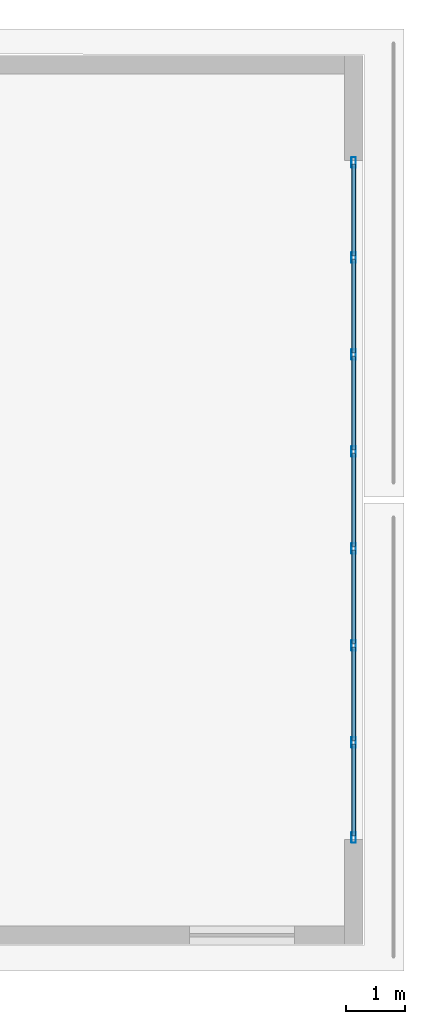
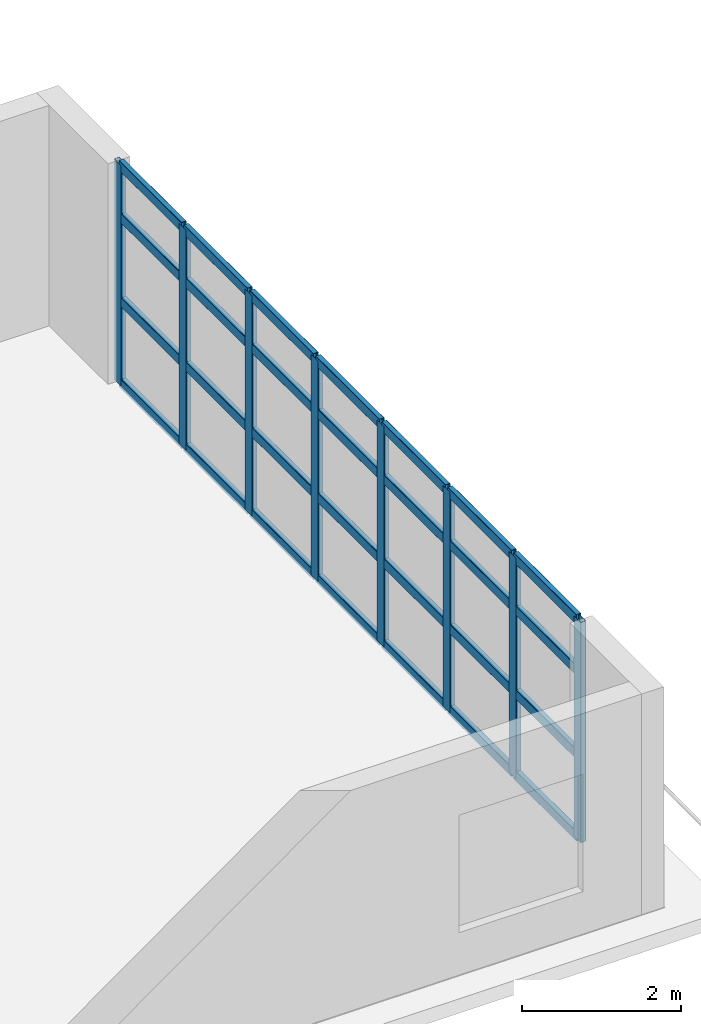
# One storey, part 11 of 24: 36 members, 1 element without a shape of its own.
"""IFC4 building model written with IfcOpenShell, lengths in metres."""

from ifc_helpers import new_model, si_unit, direction, frame, origin, origin_2d, place, context, subcontext, project, spatial, hollow_rectangle, extrude, material, layer, layer_set, material_profile, profile_set, type_object, element, aggregate, save


model = new_model("IFC4")

# Units and contexts
model_context = context("Model", 3, precision=1e-05, world=origin(), true_north=direction((0.0, 1.0)))
body_context = subcontext(model_context, "Body", "Model", "MODEL_VIEW")
ifc_project = project(units=[si_unit("LENGTHUNIT", "METRE"), si_unit("AREAUNIT", "SQUARE_METRE"), si_unit("VOLUMEUNIT", "CUBIC_METRE"), si_unit("PLANEANGLEUNIT", "RADIAN"), si_unit("MASSUNIT", "GRAM", prefix="KILO")], contexts=[model_context])

# Site, building, storey
site_placement = place(None, origin())
site = spatial("IfcSite", under=ifc_project, at=site_placement, CompositionType="ELEMENT")
building_placement = place(site_placement, origin())
building = spatial("IfcBuilding", under=site, at=building_placement, Name="Qingluan Cross Belvedere", CompositionType="ELEMENT")
storey_placement = place(building_placement, frame((0.0, 0.0, 19.199951171875)))
storey = spatial("IfcBuildingStorey", under=building, at=storey_placement, Name="L05", CompositionType="ELEMENT", Elevation=19.199951171875)

# Curtain wall, members
ifc_material_1 = material(Name="Thermally broken aluminium and Low-E glass", Category="aluminium")
ifc_layer = layer(ifc_material_1, 0.179931640625, Name="UnitisedCW_CascadeGarden")
ifc_layer_set = layer_set([ifc_layer], Name="Thermally broken aluminium and Low-E glass")
curtain_wall_type = type_object("IfcCurtainWallType", Name="UnitisedCW_CascadeGarden", PredefinedType="USERDEFINED", material=ifc_layer_set)
curtain_wall_placement = place(storey_placement, origin())
curtain_wall = element("IfcCurtainWall", 1, at=curtain_wall_placement, inside=storey, type_object=curtain_wall_type, Name="UnitisedCW_CascadeGarden run env:cw:L05:E", ObjectType="UNITISED CURTAIN WALL", PredefinedType="USERDEFINED")
ifc_material_2 = material(Name="Aluminium alloy 6063-T6", Category="aluminium")
ifc_material_profile_1 = material_profile(ifc_material_2, hollow_rectangle(XDim=0.074951171875, YDim=0.179931640625, WallThickness=0.00390625, InnerFilletRadius=0.00390625, OuterFilletRadius=0.008056640625, at=origin_2d()), Name="CWM180x75x4")
ifc_profile_set_1 = profile_set([ifc_material_profile_1], Name="Aluminium alloy 6063-T6")
member_type_1 = type_object("IfcMemberType", Name="CWMullion_180", PredefinedType="MULLION", material=ifc_profile_set_1)
member_1_placement = place(storey_placement, frame((36.239990234375, 5.77001953125, 0.0), z_axis=(0.0, 0.0, 1.0), x_axis=(1.0, 0.0, 0.0)))
member_1 = element("IfcMember", 2, at=member_1_placement, type_object=member_type_1, Name="CW-P3 mullion 1", PredefinedType="MULLION", context=body_context, shape_type="SweptSolid", body=[
    extrude(hollow_rectangle(XDim=0.074951171875, YDim=0.179931640625, WallThickness=0.00390625, InnerFilletRadius=0.00390625, OuterFilletRadius=0.008056640625, at=origin_2d()), origin(), (0.0, 0.0, 1.0), 3.380126953125),
])
member_2_placement = place(storey_placement, frame((36.239990234375, 4.142822265625, 0.0), z_axis=(0.0, 0.0, 1.0), x_axis=(1.0, 0.0, 0.0)))
member_2 = element("IfcMember", 3, at=member_2_placement, type_object=member_type_1, Name="CW-P3 mullion 2", PredefinedType="MULLION", context=body_context, shape_type="SweptSolid", body=[
    extrude(hollow_rectangle(XDim=0.074951171875, YDim=0.179931640625, WallThickness=0.00390625, InnerFilletRadius=0.00390625, OuterFilletRadius=0.008056640625, at=origin_2d()), origin(), (0.0, 0.0, 1.0), 3.380126953125),
])
member_3_placement = place(storey_placement, frame((36.239990234375, 2.485595703125, 0.0), z_axis=(0.0, 0.0, 1.0), x_axis=(1.0, 0.0, 0.0)))
member_3 = element("IfcMember", 4, at=member_3_placement, type_object=member_type_1, Name="CW-P3 mullion 3", PredefinedType="MULLION", context=body_context, shape_type="SweptSolid", body=[
    extrude(hollow_rectangle(XDim=0.074951171875, YDim=0.179931640625, WallThickness=0.00390625, InnerFilletRadius=0.00390625, OuterFilletRadius=0.008056640625, at=origin_2d()), origin(), (0.0, 0.0, 1.0), 3.380126953125),
])
member_4_placement = place(storey_placement, frame((36.239990234375, 0.82861328125, 0.0), z_axis=(0.0, 0.0, 1.0), x_axis=(1.0, 0.0, 0.0)))
member_4 = element("IfcMember", 5, at=member_4_placement, type_object=member_type_1, Name="CW-P3 mullion 4", PredefinedType="MULLION", context=body_context, shape_type="SweptSolid", body=[
    extrude(hollow_rectangle(XDim=0.074951171875, YDim=0.179931640625, WallThickness=0.00390625, InnerFilletRadius=0.00390625, OuterFilletRadius=0.008056640625, at=origin_2d()), origin(), (0.0, 0.0, 1.0), 3.380126953125),
])
member_5_placement = place(storey_placement, frame((36.239990234375, -0.82861328125, 0.0), z_axis=(0.0, 0.0, 1.0), x_axis=(1.0, 0.0, 0.0)))
member_5 = element("IfcMember", 6, at=member_5_placement, type_object=member_type_1, Name="CW-P3 mullion 5", PredefinedType="MULLION", context=body_context, shape_type="SweptSolid", body=[
    extrude(hollow_rectangle(XDim=0.074951171875, YDim=0.179931640625, WallThickness=0.00390625, InnerFilletRadius=0.00390625, OuterFilletRadius=0.008056640625, at=origin_2d()), origin(), (0.0, 0.0, 1.0), 3.380126953125),
])
member_6_placement = place(storey_placement, frame((36.239990234375, -2.485595703125, 0.0), z_axis=(0.0, 0.0, 1.0), x_axis=(1.0, 0.0, 0.0)))
member_6 = element("IfcMember", 7, at=member_6_placement, type_object=member_type_1, Name="CW-P3 mullion 6", PredefinedType="MULLION", context=body_context, shape_type="SweptSolid", body=[
    extrude(hollow_rectangle(XDim=0.074951171875, YDim=0.179931640625, WallThickness=0.00390625, InnerFilletRadius=0.00390625, OuterFilletRadius=0.008056640625, at=origin_2d()), origin(), (0.0, 0.0, 1.0), 3.380126953125),
])
member_7_placement = place(storey_placement, frame((36.239990234375, -4.142822265625, 0.0), z_axis=(0.0, 0.0, 1.0), x_axis=(1.0, 0.0, 0.0)))
member_7 = element("IfcMember", 8, at=member_7_placement, type_object=member_type_1, Name="CW-P3 mullion 7", PredefinedType="MULLION", context=body_context, shape_type="SweptSolid", body=[
    extrude(hollow_rectangle(XDim=0.074951171875, YDim=0.179931640625, WallThickness=0.00390625, InnerFilletRadius=0.00390625, OuterFilletRadius=0.008056640625, at=origin_2d()), origin(), (0.0, 0.0, 1.0), 3.380126953125),
])
member_8_placement = place(storey_placement, frame((36.239990234375, -5.77001953125, 0.0), z_axis=(0.0, 0.0, 1.0), x_axis=(1.0, 0.0, 0.0)))
member_8 = element("IfcMember", 9, at=member_8_placement, type_object=member_type_1, Name="CW-P3 mullion 8", PredefinedType="MULLION", context=body_context, shape_type="SweptSolid", body=[
    extrude(hollow_rectangle(XDim=0.074951171875, YDim=0.179931640625, WallThickness=0.00390625, InnerFilletRadius=0.00390625, OuterFilletRadius=0.008056640625, at=origin_2d()), origin(), (0.0, 0.0, 1.0), 3.380126953125),
])
ifc_material_3 = material(Name="Aluminium alloy 6063-T6", Category="aluminium")
ifc_material_profile_2 = material_profile(ifc_material_3, hollow_rectangle(XDim=0.074951171875, YDim=0.14990234375, WallThickness=0.00390625, InnerFilletRadius=0.00390625, OuterFilletRadius=0.008056640625, at=origin_2d()), Name="CWT150x75x4")
ifc_profile_set_2 = profile_set([ifc_material_profile_2], Name="Aluminium alloy 6063-T6")
member_type_2 = type_object("IfcMemberType", Name="CWTransom_150", PredefinedType="USERDEFINED", material=ifc_profile_set_2)
member_9_placement = place(storey_placement, frame((36.239990234375, 5.739990234375, 0.030029296875), z_axis=(0.0, -1.0, 0.0), x_axis=(1.0, 0.0, 0.0)))
member_9 = element("IfcMember", 10, at=member_9_placement, type_object=member_type_2, Name="CW-P3 transom 1.1", ObjectType="TRANSOM", PredefinedType="USERDEFINED", context=body_context, shape_type="SweptSolid", body=[
    extrude(hollow_rectangle(XDim=0.074951171875, YDim=0.14990234375, WallThickness=0.00390625, InnerFilletRadius=0.00390625, OuterFilletRadius=0.008056640625, at=origin_2d()), origin(), (0.0, 0.0, 1.0), 1.567138671875),
])
member_10_placement = place(storey_placement, frame((36.239990234375, 5.739990234375, 1.283935546875), z_axis=(0.0, -1.0, 0.0), x_axis=(1.0, 0.0, 0.0)))
member_10 = element("IfcMember", 11, at=member_10_placement, type_object=member_type_2, Name="CW-P3 transom 1.2", ObjectType="TRANSOM", PredefinedType="USERDEFINED", context=body_context, shape_type="SweptSolid", body=[
    extrude(hollow_rectangle(XDim=0.074951171875, YDim=0.14990234375, WallThickness=0.00390625, InnerFilletRadius=0.00390625, OuterFilletRadius=0.008056640625, at=origin_2d()), origin(), (0.0, 0.0, 1.0), 1.567138671875),
])
member_11_placement = place(storey_placement, frame((36.239990234375, 5.739990234375, 2.569091796875), z_axis=(0.0, -1.0, 0.0), x_axis=(1.0, 0.0, 0.0)))
member_11 = element("IfcMember", 12, at=member_11_placement, type_object=member_type_2, Name="CW-P3 transom 1.3", ObjectType="TRANSOM", PredefinedType="USERDEFINED", context=body_context, shape_type="SweptSolid", body=[
    extrude(hollow_rectangle(XDim=0.074951171875, YDim=0.14990234375, WallThickness=0.00390625, InnerFilletRadius=0.00390625, OuterFilletRadius=0.008056640625, at=origin_2d()), origin(), (0.0, 0.0, 1.0), 1.567138671875),
])
member_12_placement = place(storey_placement, frame((36.239990234375, 5.739990234375, 3.35009765625), z_axis=(0.0, -1.0, 0.0), x_axis=(1.0, 0.0, 0.0)))
member_12 = element("IfcMember", 13, at=member_12_placement, type_object=member_type_2, Name="CW-P3 transom 1.4", ObjectType="TRANSOM", PredefinedType="USERDEFINED", context=body_context, shape_type="SweptSolid", body=[
    extrude(hollow_rectangle(XDim=0.074951171875, YDim=0.14990234375, WallThickness=0.00390625, InnerFilletRadius=0.00390625, OuterFilletRadius=0.008056640625, at=origin_2d()), origin(), (0.0, 0.0, 1.0), 1.567138671875),
])
member_13_placement = place(storey_placement, frame((36.239990234375, 4.11279296875, 0.030029296875), z_axis=(0.0, -1.0, 0.0), x_axis=(1.0, 0.0, 0.0)))
member_13 = element("IfcMember", 14, at=member_13_placement, type_object=member_type_2, Name="CW-P3 transom 2.1", ObjectType="TRANSOM", PredefinedType="USERDEFINED", context=body_context, shape_type="SweptSolid", body=[
    extrude(hollow_rectangle(XDim=0.074951171875, YDim=0.14990234375, WallThickness=0.00390625, InnerFilletRadius=0.00390625, OuterFilletRadius=0.008056640625, at=origin_2d()), origin(), (0.0, 0.0, 1.0), 1.59716796875),
])
member_14_placement = place(storey_placement, frame((36.239990234375, 4.11279296875, 1.283935546875), z_axis=(0.0, -1.0, 0.0), x_axis=(1.0, 0.0, 0.0)))
member_14 = element("IfcMember", 15, at=member_14_placement, type_object=member_type_2, Name="CW-P3 transom 2.2", ObjectType="TRANSOM", PredefinedType="USERDEFINED", context=body_context, shape_type="SweptSolid", body=[
    extrude(hollow_rectangle(XDim=0.074951171875, YDim=0.14990234375, WallThickness=0.00390625, InnerFilletRadius=0.00390625, OuterFilletRadius=0.008056640625, at=origin_2d()), origin(), (0.0, 0.0, 1.0), 1.59716796875),
])
member_15_placement = place(storey_placement, frame((36.239990234375, 4.11279296875, 2.569091796875), z_axis=(0.0, -1.0, 0.0), x_axis=(1.0, 0.0, 0.0)))
member_15 = element("IfcMember", 16, at=member_15_placement, type_object=member_type_2, Name="CW-P3 transom 2.3", ObjectType="TRANSOM", PredefinedType="USERDEFINED", context=body_context, shape_type="SweptSolid", body=[
    extrude(hollow_rectangle(XDim=0.074951171875, YDim=0.14990234375, WallThickness=0.00390625, InnerFilletRadius=0.00390625, OuterFilletRadius=0.008056640625, at=origin_2d()), origin(), (0.0, 0.0, 1.0), 1.59716796875),
])
member_16_placement = place(storey_placement, frame((36.239990234375, 4.11279296875, 3.35009765625), z_axis=(0.0, -1.0, 0.0), x_axis=(1.0, 0.0, 0.0)))
member_16 = element("IfcMember", 17, at=member_16_placement, type_object=member_type_2, Name="CW-P3 transom 2.4", ObjectType="TRANSOM", PredefinedType="USERDEFINED", context=body_context, shape_type="SweptSolid", body=[
    extrude(hollow_rectangle(XDim=0.074951171875, YDim=0.14990234375, WallThickness=0.00390625, InnerFilletRadius=0.00390625, OuterFilletRadius=0.008056640625, at=origin_2d()), origin(), (0.0, 0.0, 1.0), 1.59716796875),
])
member_17_placement = place(storey_placement, frame((36.239990234375, 2.455810546875, 0.030029296875), z_axis=(0.0, -1.0, 0.0), x_axis=(1.0, 0.0, 0.0)))
member_17 = element("IfcMember", 18, at=member_17_placement, type_object=member_type_2, Name="CW-P3 transom 3.1", ObjectType="TRANSOM", PredefinedType="USERDEFINED", context=body_context, shape_type="SweptSolid", body=[
    extrude(hollow_rectangle(XDim=0.074951171875, YDim=0.14990234375, WallThickness=0.00390625, InnerFilletRadius=0.00390625, OuterFilletRadius=0.008056640625, at=origin_2d()), origin(), (0.0, 0.0, 1.0), 1.59716796875),
])
member_18_placement = place(storey_placement, frame((36.239990234375, 2.455810546875, 1.283935546875), z_axis=(0.0, -1.0, 0.0), x_axis=(1.0, 0.0, 0.0)))
member_18 = element("IfcMember", 19, at=member_18_placement, type_object=member_type_2, Name="CW-P3 transom 3.2", ObjectType="TRANSOM", PredefinedType="USERDEFINED", context=body_context, shape_type="SweptSolid", body=[
    extrude(hollow_rectangle(XDim=0.074951171875, YDim=0.14990234375, WallThickness=0.00390625, InnerFilletRadius=0.00390625, OuterFilletRadius=0.008056640625, at=origin_2d()), origin(), (0.0, 0.0, 1.0), 1.59716796875),
])
member_19_placement = place(storey_placement, frame((36.239990234375, 2.455810546875, 2.569091796875), z_axis=(0.0, -1.0, 0.0), x_axis=(1.0, 0.0, 0.0)))
member_19 = element("IfcMember", 20, at=member_19_placement, type_object=member_type_2, Name="CW-P3 transom 3.3", ObjectType="TRANSOM", PredefinedType="USERDEFINED", context=body_context, shape_type="SweptSolid", body=[
    extrude(hollow_rectangle(XDim=0.074951171875, YDim=0.14990234375, WallThickness=0.00390625, InnerFilletRadius=0.00390625, OuterFilletRadius=0.008056640625, at=origin_2d()), origin(), (0.0, 0.0, 1.0), 1.59716796875),
])
member_20_placement = place(storey_placement, frame((36.239990234375, 2.455810546875, 3.35009765625), z_axis=(0.0, -1.0, 0.0), x_axis=(1.0, 0.0, 0.0)))
member_20 = element("IfcMember", 21, at=member_20_placement, type_object=member_type_2, Name="CW-P3 transom 3.4", ObjectType="TRANSOM", PredefinedType="USERDEFINED", context=body_context, shape_type="SweptSolid", body=[
    extrude(hollow_rectangle(XDim=0.074951171875, YDim=0.14990234375, WallThickness=0.00390625, InnerFilletRadius=0.00390625, OuterFilletRadius=0.008056640625, at=origin_2d()), origin(), (0.0, 0.0, 1.0), 1.59716796875),
])
member_21_placement = place(storey_placement, frame((36.239990234375, 0.798583984375, 0.030029296875), z_axis=(0.0, -1.0, 0.0), x_axis=(1.0, 0.0, 0.0)))
member_21 = element("IfcMember", 22, at=member_21_placement, type_object=member_type_2, Name="CW-P3 transom 4.1", ObjectType="TRANSOM", PredefinedType="USERDEFINED", context=body_context, shape_type="SweptSolid", body=[
    extrude(hollow_rectangle(XDim=0.074951171875, YDim=0.14990234375, WallThickness=0.00390625, InnerFilletRadius=0.00390625, OuterFilletRadius=0.008056640625, at=origin_2d()), origin(), (0.0, 0.0, 1.0), 1.59716796875),
])
member_22_placement = place(storey_placement, frame((36.239990234375, 0.798583984375, 1.283935546875), z_axis=(0.0, -1.0, 0.0), x_axis=(1.0, 0.0, 0.0)))
member_22 = element("IfcMember", 23, at=member_22_placement, type_object=member_type_2, Name="CW-P3 transom 4.2", ObjectType="TRANSOM", PredefinedType="USERDEFINED", context=body_context, shape_type="SweptSolid", body=[
    extrude(hollow_rectangle(XDim=0.074951171875, YDim=0.14990234375, WallThickness=0.00390625, InnerFilletRadius=0.00390625, OuterFilletRadius=0.008056640625, at=origin_2d()), origin(), (0.0, 0.0, 1.0), 1.59716796875),
])
member_23_placement = place(storey_placement, frame((36.239990234375, 0.798583984375, 2.569091796875), z_axis=(0.0, -1.0, 0.0), x_axis=(1.0, 0.0, 0.0)))
member_23 = element("IfcMember", 24, at=member_23_placement, type_object=member_type_2, Name="CW-P3 transom 4.3", ObjectType="TRANSOM", PredefinedType="USERDEFINED", context=body_context, shape_type="SweptSolid", body=[
    extrude(hollow_rectangle(XDim=0.074951171875, YDim=0.14990234375, WallThickness=0.00390625, InnerFilletRadius=0.00390625, OuterFilletRadius=0.008056640625, at=origin_2d()), origin(), (0.0, 0.0, 1.0), 1.59716796875),
])
member_24_placement = place(storey_placement, frame((36.239990234375, 0.798583984375, 3.35009765625), z_axis=(0.0, -1.0, 0.0), x_axis=(1.0, 0.0, 0.0)))
member_24 = element("IfcMember", 25, at=member_24_placement, type_object=member_type_2, Name="CW-P3 transom 4.4", ObjectType="TRANSOM", PredefinedType="USERDEFINED", context=body_context, shape_type="SweptSolid", body=[
    extrude(hollow_rectangle(XDim=0.074951171875, YDim=0.14990234375, WallThickness=0.00390625, InnerFilletRadius=0.00390625, OuterFilletRadius=0.008056640625, at=origin_2d()), origin(), (0.0, 0.0, 1.0), 1.59716796875),
])
member_25_placement = place(storey_placement, frame((36.239990234375, -0.858642578125, 0.030029296875), z_axis=(0.0, -1.0, 0.0), x_axis=(1.0, 0.0, 0.0)))
member_25 = element("IfcMember", 26, at=member_25_placement, type_object=member_type_2, Name="CW-P3 transom 5.1", ObjectType="TRANSOM", PredefinedType="USERDEFINED", context=body_context, shape_type="SweptSolid", body=[
    extrude(hollow_rectangle(XDim=0.074951171875, YDim=0.14990234375, WallThickness=0.00390625, InnerFilletRadius=0.00390625, OuterFilletRadius=0.008056640625, at=origin_2d()), origin(), (0.0, 0.0, 1.0), 1.59716796875),
])
member_26_placement = place(storey_placement, frame((36.239990234375, -0.858642578125, 1.283935546875), z_axis=(0.0, -1.0, 0.0), x_axis=(1.0, 0.0, 0.0)))
member_26 = element("IfcMember", 27, at=member_26_placement, type_object=member_type_2, Name="CW-P3 transom 5.2", ObjectType="TRANSOM", PredefinedType="USERDEFINED", context=body_context, shape_type="SweptSolid", body=[
    extrude(hollow_rectangle(XDim=0.074951171875, YDim=0.14990234375, WallThickness=0.00390625, InnerFilletRadius=0.00390625, OuterFilletRadius=0.008056640625, at=origin_2d()), origin(), (0.0, 0.0, 1.0), 1.59716796875),
])
member_27_placement = place(storey_placement, frame((36.239990234375, -0.858642578125, 2.569091796875), z_axis=(0.0, -1.0, 0.0), x_axis=(1.0, 0.0, 0.0)))
member_27 = element("IfcMember", 28, at=member_27_placement, type_object=member_type_2, Name="CW-P3 transom 5.3", ObjectType="TRANSOM", PredefinedType="USERDEFINED", context=body_context, shape_type="SweptSolid", body=[
    extrude(hollow_rectangle(XDim=0.074951171875, YDim=0.14990234375, WallThickness=0.00390625, InnerFilletRadius=0.00390625, OuterFilletRadius=0.008056640625, at=origin_2d()), origin(), (0.0, 0.0, 1.0), 1.59716796875),
])
member_28_placement = place(storey_placement, frame((36.239990234375, -0.858642578125, 3.35009765625), z_axis=(0.0, -1.0, 0.0), x_axis=(1.0, 0.0, 0.0)))
member_28 = element("IfcMember", 29, at=member_28_placement, type_object=member_type_2, Name="CW-P3 transom 5.4", ObjectType="TRANSOM", PredefinedType="USERDEFINED", context=body_context, shape_type="SweptSolid", body=[
    extrude(hollow_rectangle(XDim=0.074951171875, YDim=0.14990234375, WallThickness=0.00390625, InnerFilletRadius=0.00390625, OuterFilletRadius=0.008056640625, at=origin_2d()), origin(), (0.0, 0.0, 1.0), 1.59716796875),
])
member_29_placement = place(storey_placement, frame((36.239990234375, -2.515625, 0.030029296875), z_axis=(0.0, -1.0, 0.0), x_axis=(1.0, 0.0, 0.0)))
member_29 = element("IfcMember", 30, at=member_29_placement, type_object=member_type_2, Name="CW-P3 transom 6.1", ObjectType="TRANSOM", PredefinedType="USERDEFINED", context=body_context, shape_type="SweptSolid", body=[
    extrude(hollow_rectangle(XDim=0.074951171875, YDim=0.14990234375, WallThickness=0.00390625, InnerFilletRadius=0.00390625, OuterFilletRadius=0.008056640625, at=origin_2d()), origin(), (0.0, 0.0, 1.0), 1.59716796875),
])
member_30_placement = place(storey_placement, frame((36.239990234375, -2.515625, 1.283935546875), z_axis=(0.0, -1.0, 0.0), x_axis=(1.0, 0.0, 0.0)))
member_30 = element("IfcMember", 31, at=member_30_placement, type_object=member_type_2, Name="CW-P3 transom 6.2", ObjectType="TRANSOM", PredefinedType="USERDEFINED", context=body_context, shape_type="SweptSolid", body=[
    extrude(hollow_rectangle(XDim=0.074951171875, YDim=0.14990234375, WallThickness=0.00390625, InnerFilletRadius=0.00390625, OuterFilletRadius=0.008056640625, at=origin_2d()), origin(), (0.0, 0.0, 1.0), 1.59716796875),
])
member_31_placement = place(storey_placement, frame((36.239990234375, -2.515625, 2.569091796875), z_axis=(0.0, -1.0, 0.0), x_axis=(1.0, 0.0, 0.0)))
member_31 = element("IfcMember", 32, at=member_31_placement, type_object=member_type_2, Name="CW-P3 transom 6.3", ObjectType="TRANSOM", PredefinedType="USERDEFINED", context=body_context, shape_type="SweptSolid", body=[
    extrude(hollow_rectangle(XDim=0.074951171875, YDim=0.14990234375, WallThickness=0.00390625, InnerFilletRadius=0.00390625, OuterFilletRadius=0.008056640625, at=origin_2d()), origin(), (0.0, 0.0, 1.0), 1.59716796875),
])
member_32_placement = place(storey_placement, frame((36.239990234375, -2.515625, 3.35009765625), z_axis=(0.0, -1.0, 0.0), x_axis=(1.0, 0.0, 0.0)))
member_32 = element("IfcMember", 33, at=member_32_placement, type_object=member_type_2, Name="CW-P3 transom 6.4", ObjectType="TRANSOM", PredefinedType="USERDEFINED", context=body_context, shape_type="SweptSolid", body=[
    extrude(hollow_rectangle(XDim=0.074951171875, YDim=0.14990234375, WallThickness=0.00390625, InnerFilletRadius=0.00390625, OuterFilletRadius=0.008056640625, at=origin_2d()), origin(), (0.0, 0.0, 1.0), 1.59716796875),
])
member_33_placement = place(storey_placement, frame((36.239990234375, -4.1728515625, 0.030029296875), z_axis=(0.0, -1.0, 0.0), x_axis=(1.0, 0.0, 0.0)))
member_33 = element("IfcMember", 34, at=member_33_placement, type_object=member_type_2, Name="CW-P3 transom 7.1", ObjectType="TRANSOM", PredefinedType="USERDEFINED", context=body_context, shape_type="SweptSolid", body=[
    extrude(hollow_rectangle(XDim=0.074951171875, YDim=0.14990234375, WallThickness=0.00390625, InnerFilletRadius=0.00390625, OuterFilletRadius=0.008056640625, at=origin_2d()), origin(), (0.0, 0.0, 1.0), 1.567138671875),
])
member_34_placement = place(storey_placement, frame((36.239990234375, -4.1728515625, 1.283935546875), z_axis=(0.0, -1.0, 0.0), x_axis=(1.0, 0.0, 0.0)))
member_34 = element("IfcMember", 35, at=member_34_placement, type_object=member_type_2, Name="CW-P3 transom 7.2", ObjectType="TRANSOM", PredefinedType="USERDEFINED", context=body_context, shape_type="SweptSolid", body=[
    extrude(hollow_rectangle(XDim=0.074951171875, YDim=0.14990234375, WallThickness=0.00390625, InnerFilletRadius=0.00390625, OuterFilletRadius=0.008056640625, at=origin_2d()), origin(), (0.0, 0.0, 1.0), 1.567138671875),
])
member_35_placement = place(storey_placement, frame((36.239990234375, -4.1728515625, 2.569091796875), z_axis=(0.0, -1.0, 0.0), x_axis=(1.0, 0.0, 0.0)))
member_35 = element("IfcMember", 36, at=member_35_placement, type_object=member_type_2, Name="CW-P3 transom 7.3", ObjectType="TRANSOM", PredefinedType="USERDEFINED", context=body_context, shape_type="SweptSolid", body=[
    extrude(hollow_rectangle(XDim=0.074951171875, YDim=0.14990234375, WallThickness=0.00390625, InnerFilletRadius=0.00390625, OuterFilletRadius=0.008056640625, at=origin_2d()), origin(), (0.0, 0.0, 1.0), 1.567138671875),
])
member_36_placement = place(storey_placement, frame((36.239990234375, -4.1728515625, 3.35009765625), z_axis=(0.0, -1.0, 0.0), x_axis=(1.0, 0.0, 0.0)))
member_36 = element("IfcMember", 37, at=member_36_placement, type_object=member_type_2, Name="CW-P3 transom 7.4", ObjectType="TRANSOM", PredefinedType="USERDEFINED", context=body_context, shape_type="SweptSolid", body=[
    extrude(hollow_rectangle(XDim=0.074951171875, YDim=0.14990234375, WallThickness=0.00390625, InnerFilletRadius=0.00390625, OuterFilletRadius=0.008056640625, at=origin_2d()), origin(), (0.0, 0.0, 1.0), 1.567138671875),
])
aggregate(curtain_wall, [member_1, member_2, member_3, member_4, member_5, member_6, member_7, member_8, member_9, member_10, member_11, member_12, member_13, member_14, member_15, member_16, member_17, member_18, member_19, member_20, member_21, member_22, member_23, member_24, member_25, member_26, member_27, member_28, member_29, member_30, member_31, member_32, member_33, member_34, member_35, member_36])

save(model, "model.ifc")
